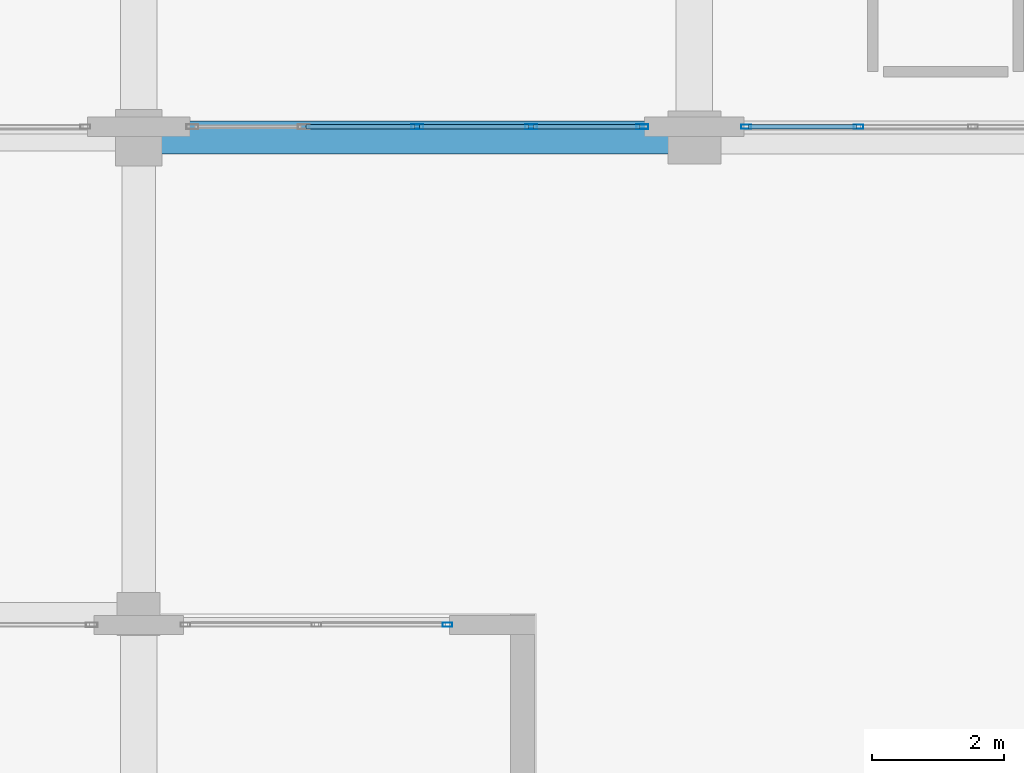
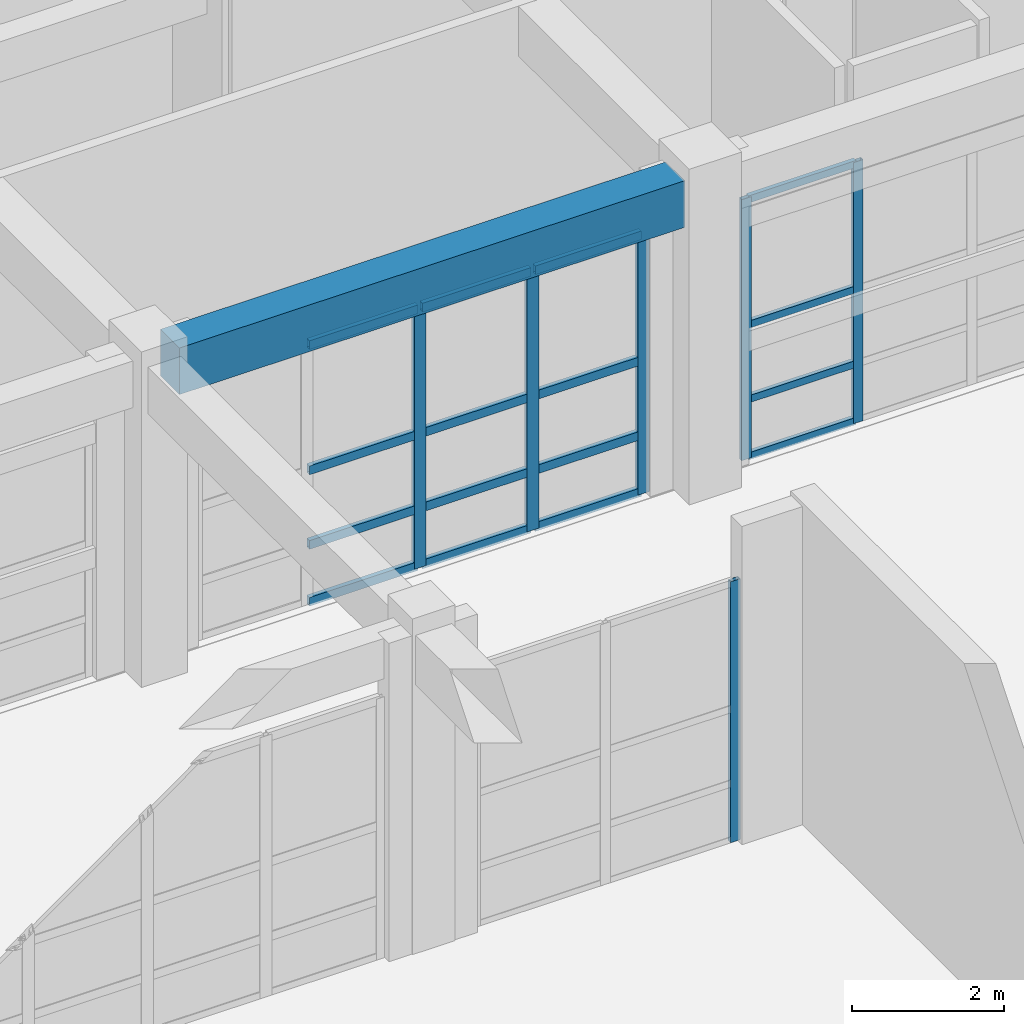
# One storey, part 80 of 148: 22 members, 1 beam, 3 elements without a shape of their own.
"""IFC4 building model written with IfcOpenShell, lengths in metres."""

from ifc_helpers import new_model, si_unit, direction, frame, origin, origin_2d, place, context, subcontext, project, spatial, rectangle, hollow_rectangle, extrude, material, layer, layer_set, material_profile, profile_set, type_object, element, aggregate, save


model = new_model("IFC4")

# Units and contexts
model_context = context("Model", 3, precision=1e-05, world=origin(), true_north=direction((0.0, 1.0)))
body_context = subcontext(model_context, "Body", "Model", "MODEL_VIEW")
ifc_project = project(units=[si_unit("LENGTHUNIT", "METRE"), si_unit("AREAUNIT", "SQUARE_METRE"), si_unit("VOLUMEUNIT", "CUBIC_METRE"), si_unit("PLANEANGLEUNIT", "RADIAN"), si_unit("MASSUNIT", "GRAM", prefix="KILO")], contexts=[model_context])

# Site, building, storey
site_placement = place(None, origin())
site = spatial("IfcSite", under=ifc_project, at=site_placement, CompositionType="ELEMENT")
building_placement = place(site_placement, origin())
building = spatial("IfcBuilding", under=site, at=building_placement, Name="Quendrovan Civic Courthouse", CompositionType="ELEMENT")
storey_placement = place(building_placement, origin())
storey = spatial("IfcBuildingStorey", under=building, at=storey_placement, Name="L01", CompositionType="ELEMENT", Elevation=0.0)

# Beam
ifc_material_1 = material(Name="Concrete C40/50", Category="concrete")
ifc_material_profile_1 = material_profile(ifc_material_1, rectangle(XDim=0.5, YDim=0.75, at=origin_2d()), Name="RC-BM-500x750")
ifc_profile_set_1 = profile_set([ifc_material_profile_1], Name="Concrete C40/50")
beam_type = type_object("IfcBeamType", Name="BM-RC750", PredefinedType="SPANDREL", material=ifc_profile_set_1)
beam_placement = place(storey_placement, frame((109.530029296875, 87.60009765625, 4.7451171875), z_axis=(1.0, 0.0, 0.0), x_axis=(0.0, 1.0, 0.0)))
element("IfcBeam", 1, at=beam_placement, inside=storey, type_object=beam_type, Name="L01 Girder X0325", PredefinedType="SPANDREL", context=body_context, shape_type="SweptSolid", body=[
    extrude(rectangle(XDim=0.5, YDim=0.75, at=origin_2d()), origin(), (0.0, 0.0, 1.0), 7.68994140625),
])

# Curtain wall, members
ifc_material_2 = material(Name="Bronze anodised aluminium and low-E glass", Category="aluminium")
ifc_layer_1 = layer(ifc_material_2, 0.179931640625, Name="Bronze anodised aluminium and low-E glass")
ifc_layer_set_1 = layer_set([ifc_layer_1], Name="Bronze anodised aluminium and low-E glass")
curtain_wall_type_1 = type_object("IfcCurtainWallType", Name="CW-U69x42", PredefinedType="USERDEFINED", material=ifc_layer_set_1)
curtain_wall_1_placement = place(storey_placement, origin())
curtain_wall_1 = element("IfcCurtainWall", 2, at=curtain_wall_1_placement, inside=storey, type_object=curtain_wall_type_1, Name="L01 Unitised Hurricane Curtain Wall CW-048", ObjectType="UNITISED CURTAIN WALL", PredefinedType="USERDEFINED")
ifc_material_3 = material(Name="Bronze anodised aluminium", Category="aluminium")
ifc_material_profile_2 = material_profile(ifc_material_3, hollow_rectangle(XDim=0.070068359375, YDim=0.179931640625, WallThickness=0.00390625, at=origin_2d()), Name="CW-MULL-70x180")
ifc_profile_set_2 = profile_set([ifc_material_profile_2], Name="Bronze anodised aluminium")
member_type_1 = type_object("IfcMemberType", Name="CW-MULL-A", PredefinedType="MULLION", material=ifc_profile_set_2)
member_1_placement = place(storey_placement, frame((116.81494140625, 87.764892578125, 0.0), z_axis=(0.0, 0.0, 1.0), x_axis=(0.0, -1.0, 0.0)))
member_1 = element("IfcMember", 3, at=member_1_placement, type_object=member_type_1, Name="CW-048 mullion 1", PredefinedType="MULLION", context=body_context, shape_type="SweptSolid", body=[
    extrude(hollow_rectangle(XDim=0.070068359375, YDim=0.179931640625, WallThickness=0.00390625, at=origin_2d()), origin(), (0.0, 0.0, 1.0), 4.199951171875),
])
member_2_placement = place(storey_placement, frame((115.13134765625, 87.764892578125, 0.0), z_axis=(0.0, 0.0, 1.0), x_axis=(0.0, -1.0, 0.0)))
member_2 = element("IfcMember", 4, at=member_2_placement, type_object=member_type_1, Name="CW-048 mullion 2", PredefinedType="MULLION", context=body_context, shape_type="SweptSolid", body=[
    extrude(hollow_rectangle(XDim=0.070068359375, YDim=0.179931640625, WallThickness=0.00390625, at=origin_2d()), origin(), (0.0, 0.0, 1.0), 4.199951171875),
])
member_3_placement = place(storey_placement, frame((113.41259765625, 87.764892578125, 0.0), z_axis=(0.0, 0.0, 1.0), x_axis=(0.0, -1.0, 0.0)))
member_3 = element("IfcMember", 5, at=member_3_placement, type_object=member_type_1, Name="CW-048 mullion 3", PredefinedType="MULLION", context=body_context, shape_type="SweptSolid", body=[
    extrude(hollow_rectangle(XDim=0.070068359375, YDim=0.179931640625, WallThickness=0.00390625, at=origin_2d()), origin(), (0.0, 0.0, 1.0), 4.199951171875),
])

curtain_wall_2_placement = place(storey_placement, origin())
curtain_wall_2 = element("IfcCurtainWall", 6, at=curtain_wall_2_placement, inside=storey, type_object=curtain_wall_type_1, Name="L01 Unitised Hurricane Curtain Wall CW-047", ObjectType="UNITISED CURTAIN WALL", PredefinedType="USERDEFINED")
ifc_material_profile_3 = material_profile(ifc_material_3, hollow_rectangle(XDim=0.06494140625, YDim=0.14990234375, WallThickness=0.00390625, at=origin_2d()), Name="CW-MULL-65x150")
ifc_profile_set_3 = profile_set([ifc_material_profile_3], Name="Bronze anodised aluminium")
member_type_2 = type_object("IfcMemberType", Name="CW-MULL-B", PredefinedType="MULLION", material=ifc_profile_set_3)
member_4_placement = place(storey_placement, frame((120.081298828125, 87.764892578125, 0.0), z_axis=(0.0, 0.0, 1.0), x_axis=(0.0, -1.0, 0.0)))
member_4 = element("IfcMember", 7, at=member_4_placement, type_object=member_type_2, Name="CW-047 mullion 4", PredefinedType="MULLION", context=body_context, shape_type="SweptSolid", body=[
    extrude(hollow_rectangle(XDim=0.06494140625, YDim=0.14990234375, WallThickness=0.00390625, at=origin_2d()), origin(), (0.0, 0.0, 1.0), 4.199951171875),
])
member_5_placement = place(storey_placement, frame((118.382568359375, 87.764892578125, 0.0), z_axis=(0.0, 0.0, 1.0), x_axis=(0.0, -1.0, 0.0)))
member_5 = element("IfcMember", 8, at=member_5_placement, type_object=member_type_2, Name="CW-047 mullion 5", PredefinedType="MULLION", context=body_context, shape_type="SweptSolid", body=[
    extrude(hollow_rectangle(XDim=0.06494140625, YDim=0.14990234375, WallThickness=0.00390625, at=origin_2d()), origin(), (0.0, 0.0, 1.0), 4.199951171875),
])

# Curtain wall, member
ifc_layer_2 = layer(ifc_material_2, 0.179931640625, Name="Bronze anodised aluminium and low-E glass")
ifc_layer_set_2 = layer_set([ifc_layer_2], Name="Bronze anodised aluminium and low-E glass")
curtain_wall_type_2 = type_object("IfcCurtainWallType", Name="CW-U40x42", PredefinedType="USERDEFINED", material=ifc_layer_set_2)
curtain_wall_3_placement = place(storey_placement, origin())
curtain_wall_3 = element("IfcCurtainWall", 9, at=curtain_wall_3_placement, inside=storey, type_object=curtain_wall_type_2, Name="L01 Unitised Hurricane Curtain Wall CW-055", ObjectType="UNITISED CURTAIN WALL", PredefinedType="USERDEFINED")
member_6_placement = place(storey_placement, frame((113.867431640625, 80.235107421875, 0.0), z_axis=(0.0, 0.0, 1.0), x_axis=(0.0, 1.0, 0.0)))
member_6 = element("IfcMember", 10, at=member_6_placement, type_object=member_type_2, Name="CW-055 mullion 3", PredefinedType="MULLION", context=body_context, shape_type="SweptSolid", body=[
    extrude(hollow_rectangle(XDim=0.06494140625, YDim=0.14990234375, WallThickness=0.00390625, at=origin_2d()), origin(), (0.0, 0.0, 1.0), 4.199951171875),
])
aggregate(curtain_wall_3, [member_6])

# Member
ifc_material_profile_4 = material_profile(ifc_material_3, hollow_rectangle(XDim=0.070068359375, YDim=0.139892578125, WallThickness=0.00390625, at=origin_2d()), Name="CW-TRAN-70x140")
ifc_profile_set_4 = profile_set([ifc_material_profile_4], Name="Bronze anodised aluminium")
member_type_3 = type_object("IfcMemberType", Name="CW-TRAN-A", PredefinedType="USERDEFINED", material=ifc_profile_set_4)
member_7_placement = place(storey_placement, frame((116.780029296875, 87.764892578125, 0.034912109375), z_axis=(-1.0, 0.0, 0.0), x_axis=(0.0, -1.0, 0.0)))
member_7 = element("IfcMember", 11, at=member_7_placement, type_object=member_type_3, Name="CW-048 transom 1.1", ObjectType="TRANSOM", PredefinedType="USERDEFINED", context=body_context, shape_type="SweptSolid", body=[
    extrude(hollow_rectangle(XDim=0.070068359375, YDim=0.139892578125, WallThickness=0.00390625, at=origin_2d()), origin(), (0.0, 0.0, 1.0), 1.61376953125),
])

member_8_placement = place(storey_placement, frame((116.780029296875, 87.764892578125, 0.949951171875), z_axis=(-1.0, 0.0, 0.0), x_axis=(0.0, -1.0, 0.0)))
member_8 = element("IfcMember", 12, at=member_8_placement, type_object=member_type_3, Name="CW-048 transom 1.2", ObjectType="TRANSOM", PredefinedType="USERDEFINED", context=body_context, shape_type="SweptSolid", body=[
    extrude(hollow_rectangle(XDim=0.070068359375, YDim=0.139892578125, WallThickness=0.00390625, at=origin_2d()), origin(), (0.0, 0.0, 1.0), 1.61376953125),
])

member_9_placement = place(storey_placement, frame((116.780029296875, 87.764892578125, 2.14990234375), z_axis=(-1.0, 0.0, 0.0), x_axis=(0.0, -1.0, 0.0)))
member_9 = element("IfcMember", 13, at=member_9_placement, type_object=member_type_3, Name="CW-048 transom 1.3", ObjectType="TRANSOM", PredefinedType="USERDEFINED", context=body_context, shape_type="SweptSolid", body=[
    extrude(hollow_rectangle(XDim=0.070068359375, YDim=0.139892578125, WallThickness=0.00390625, at=origin_2d()), origin(), (0.0, 0.0, 1.0), 1.61376953125),
])

member_10_placement = place(storey_placement, frame((116.780029296875, 87.764892578125, 4.1650390625), z_axis=(-1.0, 0.0, 0.0), x_axis=(0.0, -1.0, 0.0)))
member_10 = element("IfcMember", 14, at=member_10_placement, type_object=member_type_3, Name="CW-048 transom 1.4", ObjectType="TRANSOM", PredefinedType="USERDEFINED", context=body_context, shape_type="SweptSolid", body=[
    extrude(hollow_rectangle(XDim=0.070068359375, YDim=0.139892578125, WallThickness=0.00390625, at=origin_2d()), origin(), (0.0, 0.0, 1.0), 1.61376953125),
])

member_11_placement = place(storey_placement, frame((115.09619140625, 87.764892578125, 0.034912109375), z_axis=(-1.0, 0.0, 0.0), x_axis=(0.0, -1.0, 0.0)))
member_11 = element("IfcMember", 15, at=member_11_placement, type_object=member_type_3, Name="CW-048 transom 2.1", ObjectType="TRANSOM", PredefinedType="USERDEFINED", context=body_context, shape_type="SweptSolid", body=[
    extrude(hollow_rectangle(XDim=0.070068359375, YDim=0.139892578125, WallThickness=0.00390625, at=origin_2d()), origin(), (0.0, 0.0, 1.0), 1.648681640625),
])

member_12_placement = place(storey_placement, frame((115.09619140625, 87.764892578125, 0.949951171875), z_axis=(-1.0, 0.0, 0.0), x_axis=(0.0, -1.0, 0.0)))
member_12 = element("IfcMember", 16, at=member_12_placement, type_object=member_type_3, Name="CW-048 transom 2.2", ObjectType="TRANSOM", PredefinedType="USERDEFINED", context=body_context, shape_type="SweptSolid", body=[
    extrude(hollow_rectangle(XDim=0.070068359375, YDim=0.139892578125, WallThickness=0.00390625, at=origin_2d()), origin(), (0.0, 0.0, 1.0), 1.648681640625),
])

member_13_placement = place(storey_placement, frame((115.09619140625, 87.764892578125, 2.14990234375), z_axis=(-1.0, 0.0, 0.0), x_axis=(0.0, -1.0, 0.0)))
member_13 = element("IfcMember", 17, at=member_13_placement, type_object=member_type_3, Name="CW-048 transom 2.3", ObjectType="TRANSOM", PredefinedType="USERDEFINED", context=body_context, shape_type="SweptSolid", body=[
    extrude(hollow_rectangle(XDim=0.070068359375, YDim=0.139892578125, WallThickness=0.00390625, at=origin_2d()), origin(), (0.0, 0.0, 1.0), 1.648681640625),
])

member_14_placement = place(storey_placement, frame((115.09619140625, 87.764892578125, 4.1650390625), z_axis=(-1.0, 0.0, 0.0), x_axis=(0.0, -1.0, 0.0)))
member_14 = element("IfcMember", 18, at=member_14_placement, type_object=member_type_3, Name="CW-048 transom 2.4", ObjectType="TRANSOM", PredefinedType="USERDEFINED", context=body_context, shape_type="SweptSolid", body=[
    extrude(hollow_rectangle(XDim=0.070068359375, YDim=0.139892578125, WallThickness=0.00390625, at=origin_2d()), origin(), (0.0, 0.0, 1.0), 1.648681640625),
])

member_15_placement = place(storey_placement, frame((113.37744140625, 87.764892578125, 0.034912109375), z_axis=(-1.0, 0.0, 0.0), x_axis=(0.0, -1.0, 0.0)))
member_15 = element("IfcMember", 19, at=member_15_placement, type_object=member_type_3, Name="CW-048 transom 3.1", ObjectType="TRANSOM", PredefinedType="USERDEFINED", context=body_context, shape_type="SweptSolid", body=[
    extrude(hollow_rectangle(XDim=0.070068359375, YDim=0.139892578125, WallThickness=0.00390625, at=origin_2d()), origin(), (0.0, 0.0, 1.0), 1.648681640625),
])

member_16_placement = place(storey_placement, frame((113.37744140625, 87.764892578125, 0.949951171875), z_axis=(-1.0, 0.0, 0.0), x_axis=(0.0, -1.0, 0.0)))
member_16 = element("IfcMember", 20, at=member_16_placement, type_object=member_type_3, Name="CW-048 transom 3.2", ObjectType="TRANSOM", PredefinedType="USERDEFINED", context=body_context, shape_type="SweptSolid", body=[
    extrude(hollow_rectangle(XDim=0.070068359375, YDim=0.139892578125, WallThickness=0.00390625, at=origin_2d()), origin(), (0.0, 0.0, 1.0), 1.648681640625),
])

member_17_placement = place(storey_placement, frame((113.37744140625, 87.764892578125, 2.14990234375), z_axis=(-1.0, 0.0, 0.0), x_axis=(0.0, -1.0, 0.0)))
member_17 = element("IfcMember", 21, at=member_17_placement, type_object=member_type_3, Name="CW-048 transom 3.3", ObjectType="TRANSOM", PredefinedType="USERDEFINED", context=body_context, shape_type="SweptSolid", body=[
    extrude(hollow_rectangle(XDim=0.070068359375, YDim=0.139892578125, WallThickness=0.00390625, at=origin_2d()), origin(), (0.0, 0.0, 1.0), 1.648681640625),
])

member_18_placement = place(storey_placement, frame((113.37744140625, 87.764892578125, 4.1650390625), z_axis=(-1.0, 0.0, 0.0), x_axis=(0.0, -1.0, 0.0)))
member_18 = element("IfcMember", 22, at=member_18_placement, type_object=member_type_3, Name="CW-048 transom 3.4", ObjectType="TRANSOM", PredefinedType="USERDEFINED", context=body_context, shape_type="SweptSolid", body=[
    extrude(hollow_rectangle(XDim=0.070068359375, YDim=0.139892578125, WallThickness=0.00390625, at=origin_2d()), origin(), (0.0, 0.0, 1.0), 1.648681640625),
])

aggregate(curtain_wall_1, [member_1, member_2, member_3, member_7, member_8, member_9, member_10, member_11, member_12, member_13, member_14, member_15, member_16, member_17, member_18])

ifc_material_profile_5 = material_profile(ifc_material_3, hollow_rectangle(XDim=0.06494140625, YDim=0.114990234375, WallThickness=0.00390625, at=origin_2d()), Name="CW-TRAN-65x115")
ifc_profile_set_5 = profile_set([ifc_material_profile_5], Name="Bronze anodised aluminium")
member_type_4 = type_object("IfcMemberType", Name="CW-TRAN-B", PredefinedType="USERDEFINED", material=ifc_profile_set_5)
member_19_placement = place(storey_placement, frame((120.048828125, 87.764892578125, 0.032470703125), z_axis=(-1.0, 0.0, 0.0), x_axis=(0.0, -1.0, 0.0)))
member_19 = element("IfcMember", 23, at=member_19_placement, type_object=member_type_4, Name="CW-047 transom 4.1", ObjectType="TRANSOM", PredefinedType="USERDEFINED", context=body_context, shape_type="SweptSolid", body=[
    extrude(hollow_rectangle(XDim=0.06494140625, YDim=0.114990234375, WallThickness=0.00390625, at=origin_2d()), origin(), (0.0, 0.0, 1.0), 1.6337890625),
])

member_20_placement = place(storey_placement, frame((120.048828125, 87.764892578125, 0.949951171875), z_axis=(-1.0, 0.0, 0.0), x_axis=(0.0, -1.0, 0.0)))
member_20 = element("IfcMember", 24, at=member_20_placement, type_object=member_type_4, Name="CW-047 transom 4.2", ObjectType="TRANSOM", PredefinedType="USERDEFINED", context=body_context, shape_type="SweptSolid", body=[
    extrude(hollow_rectangle(XDim=0.06494140625, YDim=0.114990234375, WallThickness=0.00390625, at=origin_2d()), origin(), (0.0, 0.0, 1.0), 1.6337890625),
])

member_21_placement = place(storey_placement, frame((120.048828125, 87.764892578125, 2.14990234375), z_axis=(-1.0, 0.0, 0.0), x_axis=(0.0, -1.0, 0.0)))
member_21 = element("IfcMember", 25, at=member_21_placement, type_object=member_type_4, Name="CW-047 transom 4.3", ObjectType="TRANSOM", PredefinedType="USERDEFINED", context=body_context, shape_type="SweptSolid", body=[
    extrude(hollow_rectangle(XDim=0.06494140625, YDim=0.114990234375, WallThickness=0.00390625, at=origin_2d()), origin(), (0.0, 0.0, 1.0), 1.6337890625),
])

member_22_placement = place(storey_placement, frame((120.048828125, 87.764892578125, 4.16748046875), z_axis=(-1.0, 0.0, 0.0), x_axis=(0.0, -1.0, 0.0)))
member_22 = element("IfcMember", 26, at=member_22_placement, type_object=member_type_4, Name="CW-047 transom 4.4", ObjectType="TRANSOM", PredefinedType="USERDEFINED", context=body_context, shape_type="SweptSolid", body=[
    extrude(hollow_rectangle(XDim=0.06494140625, YDim=0.114990234375, WallThickness=0.00390625, at=origin_2d()), origin(), (0.0, 0.0, 1.0), 1.6337890625),
])

aggregate(curtain_wall_2, [member_4, member_5, member_19, member_20, member_21, member_22])

save(model, "model.ifc")
